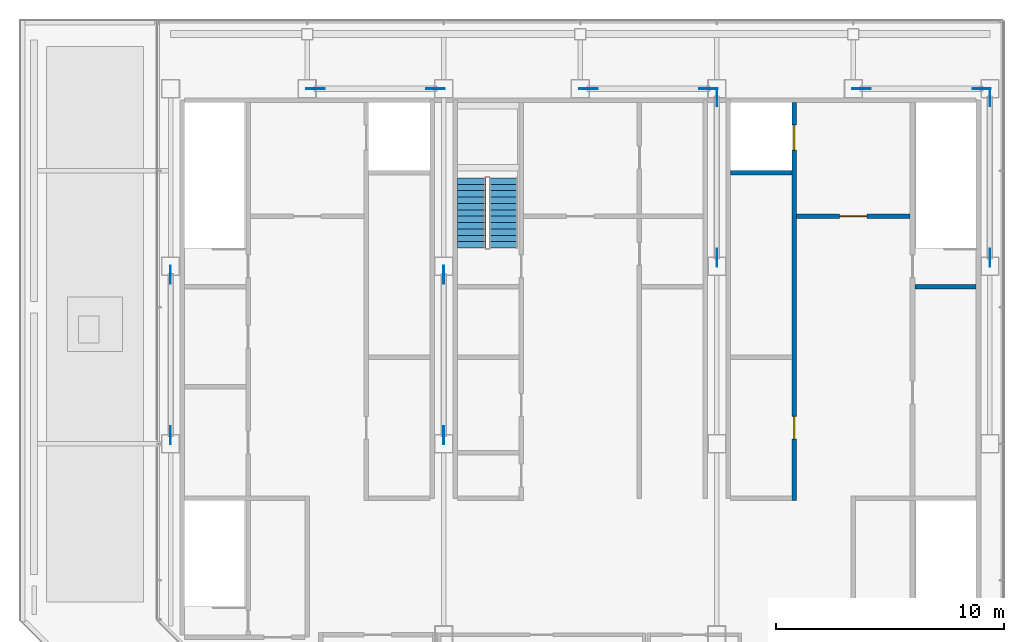
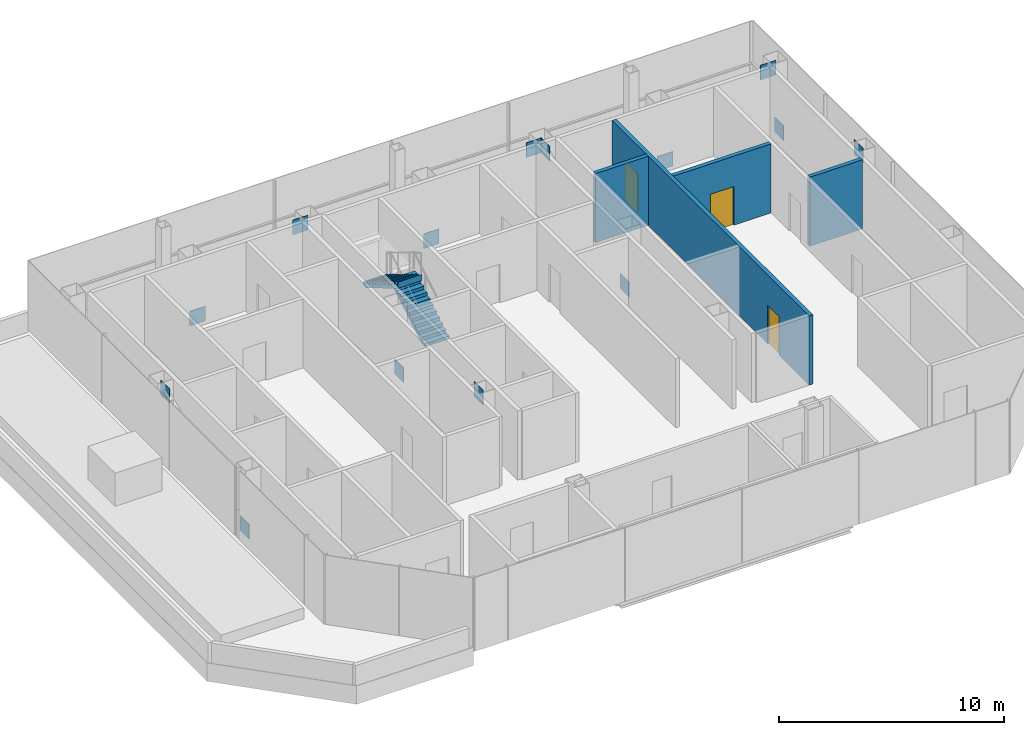
# One storey, part 10 of 12: 14 discrete accessories, 4 walls, 3 doors, 2 stair flights, 3 openings, 1 element without a shape of its own.
"""IFC4 building model written with IfcOpenShell, lengths in metres."""

from ifc_helpers import new_model, si_unit, direction, frame, frame_2d, origin, origin_2d, place, context, subcontext, project, spatial, polyline, rectangle, outline, extrude, material, layer, layer_set, type_object, element, fill, aggregate, save


model = new_model("IFC4")

# Units and contexts
model_context = context("Model", 3, precision=1e-05, world=origin(), true_north=direction((0.0, 1.0)))
body_context = subcontext(model_context, "Body", "Model", "MODEL_VIEW")
ifc_project = project(units=[si_unit("LENGTHUNIT", "METRE"), si_unit("AREAUNIT", "SQUARE_METRE"), si_unit("VOLUMEUNIT", "CUBIC_METRE"), si_unit("PLANEANGLEUNIT", "RADIAN"), si_unit("MASSUNIT", "GRAM", prefix="KILO")], contexts=[model_context])

# Site, building, storey
site_placement = place(None, origin())
site = spatial("IfcSite", under=ifc_project, at=site_placement, CompositionType="ELEMENT")
building_placement = place(site_placement, origin())
building = spatial("IfcBuilding", under=site, at=building_placement, Name="Sorahane Residences", CompositionType="ELEMENT")
storey_placement = place(building_placement, frame((0.0, 0.0, 353.800048828125)))
storey = spatial("IfcBuildingStorey", under=building, at=storey_placement, Name="L84", CompositionType="ELEMENT", Elevation=353.800048828125)

# Wall, opening, door
ifc_material_1 = material(Name="Concrete C30", Category="concrete")
ifc_layer_1 = layer(ifc_material_1, 0.199951171875)
ifc_layer_set_1 = layer_set([ifc_layer_1], Name="Front room wall 200 EI 120")
wall_type_1 = type_object("IfcWallType", Name="Front room wall 200 EI 120", PredefinedType="PARTITIONING", material=ifc_layer_set_1)
wall_1_placement = place(storey_placement, frame((33.5, 40.0, 0.0), z_axis=(0.0, 0.0, 1.0), x_axis=(1.0, 0.0, 0.0)))
wall_1 = element("IfcWall", 1, at=wall_1_placement, inside=storey, type_object=wall_type_1, Name="L84 front room wall", PredefinedType="PARTITIONING", context=body_context, shape_type="SweptSolid", body=[
    extrude(rectangle(XDim=5.0, YDim=0.199951171875, at=frame_2d((2.5, 0.0))), origin(), (0.0, 0.0, 1.0), 3.75),
])
opening_1_placement = place(wall_1_placement, frame((1.89990234375, 0.0, 0.0)))
opening_1 = element("IfcOpeningElement", 2, at=opening_1_placement, cuts=wall_1, Name="Opening L84-C05", PredefinedType="OPENING", context=body_context, shape_type="SweptSolid", body=[
    extrude(rectangle(XDim=1.199951171875, YDim=2.10009765625, at=frame_2d((0.60009765625, 1.050048828125))), frame((0.0, 0.10986328125, 0.0), z_axis=(0.0, -1.0, 0.0), x_axis=(1.0, 0.0, 0.0)), (0.0, 0.0, 1.0), 0.219970703125),
])
ifc_material_2 = material(Name="Steel", Category="steel")
door_type_1 = type_object("IfcDoorType", Name="Front room door 1200x2100 FD120", OperationType="NOTDEFINED", PredefinedType="DOOR", material=ifc_material_2)
door_1_placement = place(opening_1_placement, frame((1.199951171875, 0.0, 0.0), z_axis=(0.0, 0.0, 1.0), x_axis=(-1.0, 0.0, 0.0)))
door_1 = element("IfcDoor", 3, at=door_1_placement, inside=storey, type_object=door_type_1, Name="Front room door Firefighting lobby FF2 front room L84", OperationType="DOUBLE_DOOR_SINGLE_SWING", OverallHeight=2.10009765625, OverallWidth=1.199951171875, PredefinedType="DOOR", context=body_context, shape_type="SweptSolid", body=[
    extrude(rectangle(XDim=1.199951171875, YDim=2.10009765625, at=frame_2d((0.60009765625, 1.050048828125))), frame((0.0, 0.02490234375, 0.0), z_axis=(0.0, -1.0, 0.0), x_axis=(1.0, 0.0, 0.0)), (0.0, 0.0, 1.0), 0.050048828125),
])
fill(opening_1, door_1)

# Wall, openings, doors
ifc_material_3 = material(Name="Concrete C30", Category="concrete")
ifc_layer_2 = layer(ifc_material_3, 0.199951171875)
ifc_layer_set_2 = layer_set([ifc_layer_2], Name="Lift shaft wall 200 EI 120")
wall_type_2 = type_object("IfcWallType", Name="Lift shaft wall 200 EI 120", PredefinedType="SOLIDWALL", material=ifc_layer_set_2)
wall_2_placement = place(storey_placement, frame((33.39990234375, 27.5, 0.0), z_axis=(0.0, 0.0, 1.0), x_axis=(0.0, 1.0, 0.0)))
wall_2 = element("IfcWall", 4, at=wall_2_placement, inside=storey, type_object=wall_type_2, Name="L84 lift shaft wall", PredefinedType="SOLIDWALL", context=body_context, shape_type="SweptSolid", body=[
    extrude(rectangle(XDim=17.5, YDim=0.199951171875, at=frame_2d((8.75, 0.0))), origin(), (0.0, 0.0, 1.0), 3.75),
])
opening_2_placement = place(wall_2_placement, frame((15.39990234375, 0.0, 0.0)))
opening_2 = element("IfcOpeningElement", 5, at=opening_2_placement, cuts=wall_2, Name="Opening L84-C06", PredefinedType="OPENING", context=body_context, shape_type="SweptSolid", body=[
    extrude(rectangle(XDim=1.10009765625, YDim=2.10009765625, at=frame_2d((0.550048828125, 1.050048828125))), frame((0.0, 0.10986328125, 0.0), z_axis=(0.0, -1.0, 0.0), x_axis=(1.0, 0.0, 0.0)), (0.0, 0.0, 1.0), 0.219970703125),
])
opening_3_placement = place(wall_2_placement, frame((2.699951171875, 0.0, 0.0)))
opening_3 = element("IfcOpeningElement", 6, at=opening_3_placement, cuts=wall_2, Name="Opening L84-C11", PredefinedType="OPENING", context=body_context, shape_type="SweptSolid", body=[
    extrude(rectangle(XDim=1.0, YDim=2.10009765625, at=frame_2d((0.5, 1.050048828125))), frame((0.0, 0.10986328125, 0.0), z_axis=(0.0, -1.0, 0.0), x_axis=(1.0, 0.0, 0.0)), (0.0, 0.0, 1.0), 0.219970703125),
])
ifc_material_4 = material(Name="Aluminium and stainless steel", Category="steel")
door_type_2 = type_object("IfcDoorType", Name="Lift landing door 1100x2100 E 60", OperationType="NOTDEFINED", PredefinedType="DOOR", material=ifc_material_4)
door_2_placement = place(opening_2_placement, origin())
door_2 = element("IfcDoor", 7, at=door_2_placement, inside=storey, type_object=door_type_2, Name="Lift landing door FF2 L84", OperationType="DOUBLE_DOOR_SLIDING", OverallHeight=2.10009765625, OverallWidth=1.10009765625, PredefinedType="DOOR", context=body_context, shape_type="SweptSolid", body=[
    extrude(rectangle(XDim=1.10009765625, YDim=2.10009765625, at=frame_2d((0.550048828125, 1.050048828125))), frame((0.0, 0.02490234375, 0.0), z_axis=(0.0, -1.0, 0.0), x_axis=(1.0, 0.0, 0.0)), (0.0, 0.0, 1.0), 0.050048828125),
])
fill(opening_2, door_2)
ifc_material_5 = material(Name="Steel", Category="steel")
door_type_3 = type_object("IfcDoorType", Name="Service room door 1000x2100 FD60", OperationType="NOTDEFINED", PredefinedType="DOOR", material=ifc_material_5)
door_3_placement = place(opening_3_placement, origin())
door_3 = element("IfcDoor", 8, at=door_3_placement, inside=storey, type_object=door_type_3, Name="Service room door Gift store L84", OperationType="SINGLE_SWING_RIGHT", OverallHeight=2.10009765625, OverallWidth=1.0, PredefinedType="DOOR", context=body_context, shape_type="SweptSolid", body=[
    extrude(rectangle(XDim=1.0, YDim=2.10009765625, at=frame_2d((0.5, 1.050048828125))), frame((0.0, 0.02490234375, 0.0), z_axis=(0.0, -1.0, 0.0), x_axis=(1.0, 0.0, 0.0)), (0.0, 0.0, 1.0), 0.050048828125),
])
fill(opening_3, door_3)

# Walls
wall_3_placement = place(storey_placement, frame((30.60009765625, 41.89990234375, 0.0), z_axis=(0.0, 0.0, 1.0), x_axis=(1.0, 0.0, 0.0)))
element("IfcWall", 9, at=wall_3_placement, inside=storey, type_object=wall_type_2, Name="L84 lift shaft wall", PredefinedType="SOLIDWALL", context=body_context, shape_type="SweptSolid", body=[
    extrude(rectangle(XDim=2.699951171875, YDim=0.199951171875, at=frame_2d((1.35009765625, 0.0))), origin(), (0.0, 0.0, 1.0), 3.75),
])
ifc_material_6 = material(Name="Concrete C30", Category="concrete")
ifc_layer_3 = layer(ifc_material_6, 0.199951171875)
ifc_layer_set_3 = layer_set([ifc_layer_3], Name="Stair enclosure wall 200 EI 120")
wall_type_3 = type_object("IfcWallType", Name="Stair enclosure wall 200 EI 120", PredefinedType="SOLIDWALL", material=ifc_layer_set_3)
wall_4_placement = place(storey_placement, frame((38.699951171875, 36.89990234375, 0.0), z_axis=(0.0, 0.0, 1.0), x_axis=(1.0, 0.0, 0.0)))
element("IfcWall", 10, at=wall_4_placement, inside=storey, type_object=wall_type_3, Name="L84 stair enclosure wall", PredefinedType="SOLIDWALL", context=body_context, shape_type="SweptSolid", body=[
    extrude(rectangle(XDim=2.699951171875, YDim=0.199951171875, at=frame_2d((1.35009765625, 0.0))), origin(), (0.0, 0.0, 1.0), 3.75),
])

# Stair, stair flights
ifc_material_7 = material(Name="Concrete C40", Category="concrete")
stair_type = type_object("IfcStairType", Name="Dog-leg stair 1250 Concrete C40", PredefinedType="HALF_TURN_STAIR", material=ifc_material_7)
stair_placement = place(storey_placement, origin())
stair = element("IfcStair", 11, at=stair_placement, inside=storey, type_object=stair_type, Name="L84 Stair S3", PredefinedType="HALF_TURN_STAIR")
ifc_material_8 = material(Name="Concrete C40", Category="concrete")
stair_flight_type = type_object("IfcStairFlightType", Name="Stair flight 1250 Concrete C40", PredefinedType="STRAIGHT", material=ifc_material_8)
stair_flight_1_placement = place(storey_placement, frame((20.625, 38.60009765625, 0.0), z_axis=(0.0, 0.0, 1.0), x_axis=(0.0, 1.0, 0.0)))
stair_flight_1 = element("IfcStairFlight", 12, at=stair_flight_1_placement, type_object=stair_flight_type, Name="S3 flight 1", NumberOfRisers=12, NumberOfTreads=11, PredefinedType="STRAIGHT", RiserHeight=0.166666667, TreadLength=0.28, context=body_context, shape_type="SweptSolid", body=[
    extrude(outline(polyline([(-0.00146484375, 0.0), (-0.00146484375, 0.166748046875), (0.0, 0.166748046875), (0.280029296875, 0.166748046875), (0.280029296875, 0.333251953125), (0.56005859375, 0.333251953125), (0.56005859375, 0.5), (0.840087890625, 0.5), (0.840087890625, 0.666748046875), (1.1201171875, 0.666748046875), (1.1201171875, 0.833251953125), (1.39990234375, 0.833251953125), (1.39990234375, 1.0), (1.679931640625, 1.0), (1.679931640625, 1.166748046875), (1.9599609375, 1.166748046875), (1.9599609375, 1.333251953125), (2.239990234375, 1.333251953125), (2.239990234375, 1.5), (2.52001953125, 1.5), (2.52001953125, 1.666748046875), (2.800048828125, 1.666748046875), (2.800048828125, 1.833251953125), (3.080078125, 1.833251953125), (3.080078125, 2.0), (3.080078125, 1.658935546875), (2.86572265625, 1.53125), (2.651123046875, 1.403564453125), (2.436767578125, 1.276123046875), (2.222412109375, 1.1484375), (2.008056640625, 1.020751953125), (1.793701171875, 0.893310546875), (1.579345703125, 0.765625), (1.364990234375, 0.637939453125), (1.150634765625, 0.510498046875), (0.936279296875, 0.3828125), (0.721923828125, 0.255126953125), (0.507568359375, 0.127685546875), (0.29296875, 0.0), (-0.00146484375, 0.0)])), frame((0.0, 0.625, 0.0), z_axis=(0.0, -1.0, 0.0), x_axis=(1.0, 0.0, 0.0)), (0.0, 0.0, 1.0), 1.25),
])
stair_flight_2_placement = place(storey_placement, frame((19.22509765625, 41.679931640625, 2.0), z_axis=(0.0, 0.0, 1.0), x_axis=(0.0, -1.0, 0.0)))
stair_flight_2 = element("IfcStairFlight", 13, at=stair_flight_2_placement, type_object=stair_flight_type, Name="S3 flight 2", NumberOfRisers=12, NumberOfTreads=11, PredefinedType="STRAIGHT", RiserHeight=0.166666667, TreadLength=0.28, context=body_context, shape_type="SweptSolid", body=[
    extrude(outline(polyline([(0.0, 0.0), (0.0, 0.166748046875), (0.280029296875, 0.166748046875), (0.280029296875, 0.333251953125), (0.56005859375, 0.333251953125), (0.56005859375, 0.5), (0.840087890625, 0.5), (0.840087890625, 0.666748046875), (1.1201171875, 0.666748046875), (1.1201171875, 0.833251953125), (1.39990234375, 0.833251953125), (1.39990234375, 1.0), (1.679931640625, 1.0), (1.679931640625, 1.166748046875), (1.9599609375, 1.166748046875), (1.9599609375, 1.333251953125), (2.239990234375, 1.333251953125), (2.239990234375, 1.5), (2.52001953125, 1.5), (2.52001953125, 1.666748046875), (2.800048828125, 1.666748046875), (2.800048828125, 1.833251953125), (3.080078125, 1.833251953125), (3.080078125, 2.0), (3.08154296875, 2.0), (3.08154296875, 1.658935546875), (2.866943359375, 1.53125), (2.652587890625, 1.403564453125), (2.43798828125, 1.276123046875), (2.2236328125, 1.1484375), (2.009033203125, 1.020751953125), (1.79443359375, 0.893310546875), (1.580078125, 0.765625), (1.365478515625, 0.637939453125), (1.151123046875, 0.510498046875), (0.9365234375, 0.3828125), (0.72216796875, 0.255126953125), (0.507568359375, 0.127685546875), (0.29296875, 0.0), (0.0, 0.0)])), frame((0.0, 0.625, 0.0), z_axis=(0.0, -1.0, 0.0), x_axis=(1.0, 0.0, 0.0)), (0.0, 0.0, 1.0), 1.25),
])
aggregate(stair, [stair_flight_1, stair_flight_2])

# Discrete accessories
ifc_material_9 = material(Name="Steel Q355B", Category="steel")
ifc_layer_4 = layer(ifc_material_9, 0.02490234375)
ifc_layer_set_4 = layer_set([ifc_layer_4], Name="Node plate Steel Q355B 25")
discrete_accessory_type = type_object("IfcDiscreteAccessoryType", Name="Node plate Steel Q355B 25", PredefinedType="BRACKET", material=ifc_layer_set_4)
for number, where, z_axis, x_axis, name in (
    (14, (6.0, 30.3701171875, -0.2880859375), (0.0, 0.0, 1.0), (0.0, 1.0, 0.0), "Node plate L84 br"),
    (15, (6.0, 37.429931640625, 2.7880859375), (0.0, 0.0, 1.0), (0.0, 1.0, 0.0), "Node plate L84 br"),
    (16, (18.0, 37.429931640625, -0.2880859375), (0.0, 0.0, 1.0), (0.0, 1.0, 0.0), "Node plate L84 br"),
    (17, (18.0, 30.3701171875, 2.7880859375), (0.0, 0.0, 1.0), (0.0, 1.0, 0.0), "Node plate L84 br"),
    (18, (30.0, 38.169921875, -0.2880859375), (0.0, 0.0, 1.0), (0.0, 1.0, 0.0), "Node plate L84 br"),
    (19, (30.0, 45.22998046875, 2.7880859375), (0.0, 0.0, 1.0), (0.0, 1.0, 0.0), "Node plate L84 br"),
    (20, (42.0, 45.22998046875, -0.2880859375), (0.0, 0.0, 1.0), (0.0, 1.0, 0.0), "Node plate L84 br"),
    (21, (42.0, 38.169921875, 2.7880859375), (0.0, 0.0, 1.0), (0.0, 1.0, 0.0), "Node plate L84 br"),
    (22, (12.362060546875, 45.60009765625, -0.29736328125), (0.0, 0.0, 1.0), (1.0, 0.0, 0.0), "Node plate L84 br"),
    (23, (24.362060546875, 45.60009765625, -0.29736328125), (0.0, 0.0, 1.0), (1.0, 0.0, 0.0), "Node plate L84 br"),
    (24, (36.362060546875, 45.60009765625, -0.29736328125), (0.0, 0.0, 1.0), (1.0, 0.0, 0.0), "Node plate L84 br"),
    (25, (17.637939453125, 45.60009765625, 2.79736328125), (0.0, 0.0, 1.0), (1.0, 0.0, 0.0), "Node plate L84 br"),
    (26, (29.637939453125, 45.60009765625, 2.79736328125), (0.0, 0.0, 1.0), (1.0, 0.0, 0.0), "Node plate L84 br"),
    (27, (41.637939453125, 45.60009765625, 2.79736328125), (0.0, 0.0, 1.0), (1.0, 0.0, 0.0), "Node plate L84 br"),
):
    element("IfcDiscreteAccessory", number, at=place(storey_placement, frame(where, z_axis=z_axis, x_axis=x_axis)), inside=storey, type_object=discrete_accessory_type, Name=name, PredefinedType="BRACKET", context=body_context, shape_type="SweptSolid", body=[
        extrude(rectangle(XDim=0.800048828125, YDim=0.02490234375, at=origin_2d()), origin(), (0.0, 0.0, 1.0), 0.800048828125),
    ])

save(model, "model.ifc")
